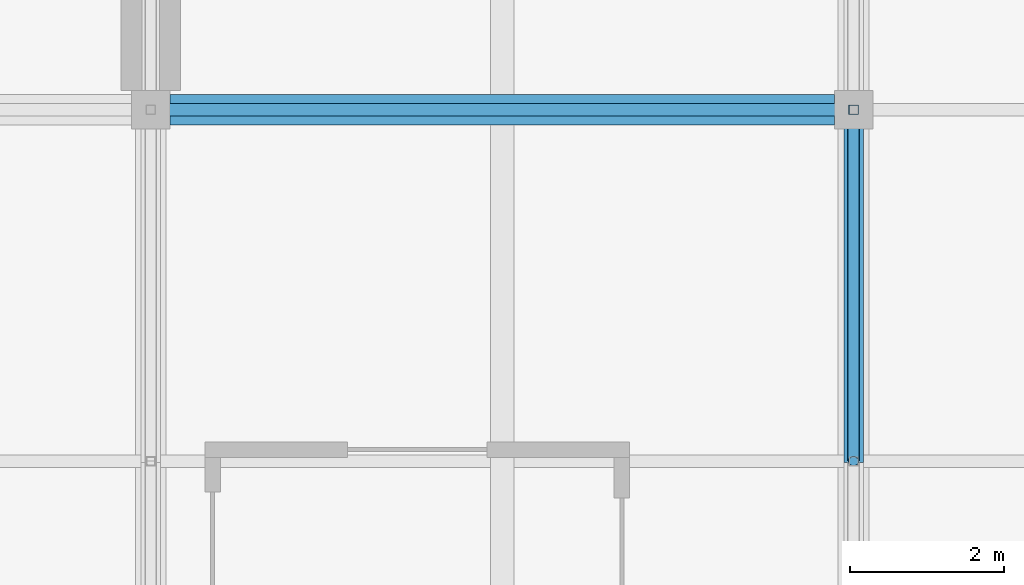
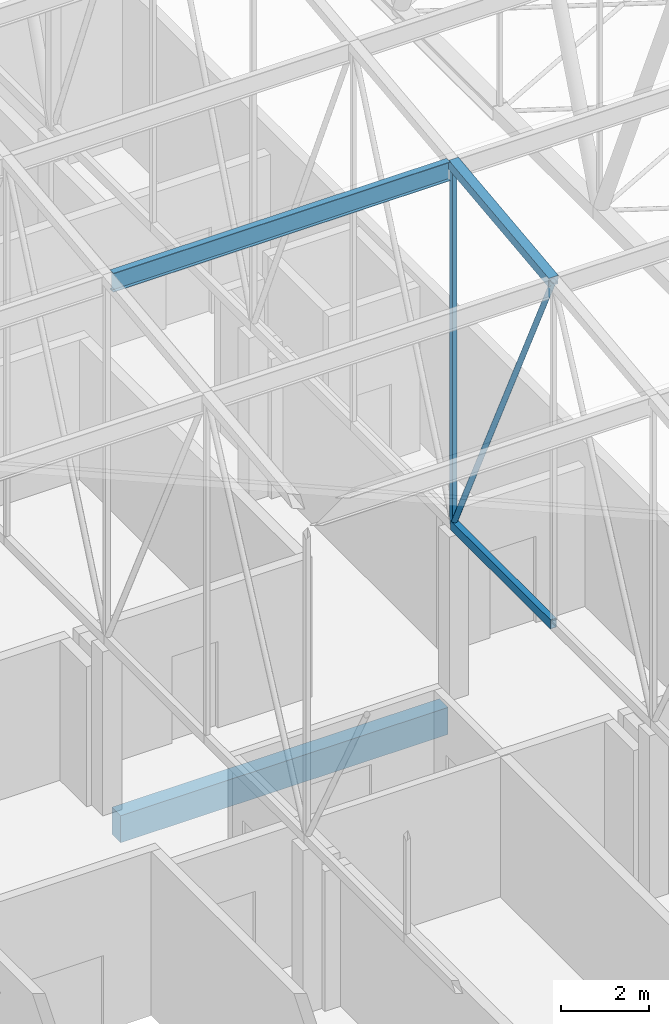
# One storey, part 42 of 500: 5 members, 1 beam.
"""IFC4 building model written with IfcOpenShell, lengths in metres."""

from ifc_helpers import new_model, si_unit, direction, frame, origin, origin_2d, place, context, subcontext, project, spatial, rectangle, hollow_rectangle, hollow_circle, i_section, extrude, material, material_profile, profile_set, type_object, element, save


model = new_model("IFC4")

# Units and contexts
model_context = context("Model", 3, precision=1e-05, world=origin(), true_north=direction((0.0, 1.0)))
body_context = subcontext(model_context, "Body", "Model", "MODEL_VIEW")
ifc_project = project(units=[si_unit("LENGTHUNIT", "METRE"), si_unit("AREAUNIT", "SQUARE_METRE"), si_unit("VOLUMEUNIT", "CUBIC_METRE"), si_unit("PLANEANGLEUNIT", "RADIAN"), si_unit("MASSUNIT", "GRAM", prefix="KILO")], contexts=[model_context])

# Site, building, storey
site_placement = place(None, origin())
site = spatial("IfcSite", under=ifc_project, at=site_placement, CompositionType="ELEMENT")
building_placement = place(site_placement, origin())
building = spatial("IfcBuilding", under=site, at=building_placement, Name="Shirokan Park Arena", CompositionType="ELEMENT")
storey_placement = place(building_placement, frame((0.0, 0.0, 29.1201171875)))
storey = spatial("IfcBuildingStorey", under=building, at=storey_placement, Name="L06", CompositionType="ELEMENT", Elevation=29.1201171875)

# Members
ifc_material_1 = material(Name="Steel ASTM A500 Grade C", Category="steel")
ifc_material_profile_1 = material_profile(ifc_material_1, hollow_rectangle(XDim=0.152099609375, YDim=0.25390625, WallThickness=0.009521484375, at=origin_2d()), Name="HSS254X152.4X9.5")
ifc_profile_set_1 = profile_set([ifc_material_profile_1], Name="Steel ASTM A500 Grade C")
member_type_1 = type_object("IfcMemberType", Name="Bottom chord HSS254X152.4X9.5", PredefinedType="CHORD", material=ifc_profile_set_1)
member_1_placement = place(storey_placement, frame((36.39990234375, 13.64990234375, 4.677001953125), z_axis=(0.0, 1.0, 0.0), x_axis=(-1.0, 0.0, 0.0)))
element("IfcMember", 1, at=member_1_placement, inside=storey, type_object=member_type_1, Name="Truss T05 bottom chord 6", PredefinedType="CHORD", context=body_context, shape_type="SweptSolid", body=[
    extrude(hollow_rectangle(XDim=0.152099609375, YDim=0.25390625, WallThickness=0.009521484375, at=origin_2d()), origin(), (0.0, 0.0, 1.0), 4.550048828125),
])
ifc_material_2 = material(Name="Steel ASTM A992", Category="steel")
ifc_material_profile_2 = material_profile(ifc_material_2, i_section(OverallWidth=0.166015625, OverallDepth=0.528076171875, WebThickness=0.009765625, FlangeThickness=0.013671875, at=origin_2d()), Name="W530X74")
ifc_profile_set_2 = profile_set([ifc_material_profile_2], Name="Steel ASTM A992")
member_type_2 = type_object("IfcMemberType", Name="Purlin W530X74", PredefinedType="PURLIN", material=ifc_profile_set_2)
member_2_placement = place(storey_placement, frame((27.427001953125, 18.199951171875, 14.56591796875), z_axis=(1.0, 0.0, 0.0), x_axis=(0.0, 1.0, 0.0)))
element("IfcMember", 2, at=member_2_placement, inside=storey, type_object=member_type_2, Name="Purlin 7 bay 4", PredefinedType="PURLIN", context=body_context, shape_type="SweptSolid", body=[
    extrude(i_section(OverallWidth=0.166015625, OverallDepth=0.528076171875, WebThickness=0.009765625, FlangeThickness=0.013671875, at=origin_2d()), origin(), (0.0, 0.0, 1.0), 8.845947265625),
])

# Beam
ifc_material_3 = material(Name="Concrete C35", Category="concrete")
ifc_material_profile_3 = material_profile(ifc_material_3, rectangle(XDim=0.39990234375, YDim=0.75, at=origin_2d()), Name="400x750")
ifc_profile_set_3 = profile_set([ifc_material_profile_3], Name="Concrete C35")
beam_type = type_object("IfcBeamType", Name="RC girder 400x750", PredefinedType="BEAM", material=ifc_profile_set_3)
beam_placement = place(storey_placement, frame((27.550048828125, 18.199951171875, -0.5751953125), z_axis=(1.0, 0.0, 0.0), x_axis=(0.0, 1.0, 0.0)))
element("IfcBeam", 3, at=beam_placement, inside=storey, type_object=beam_type, Name="Girder 4C-5C L06", PredefinedType="BEAM", context=body_context, shape_type="SweptSolid", body=[
    extrude(rectangle(XDim=0.39990234375, YDim=0.75, at=origin_2d()), origin(), (0.0, 0.0, 1.0), 8.599853515625),
])

# Members
ifc_material_profile_4 = material_profile(ifc_material_1, hollow_rectangle(XDim=0.25390625, YDim=0.25390625, WallThickness=0.009521484375, at=origin_2d()), Name="HSS254X254X9.5")
ifc_profile_set_4 = profile_set([ifc_material_profile_4], Name="Steel ASTM A500 Grade C")
member_type_3 = type_object("IfcMemberType", Name="Top chord HSS254X254X9.5", PredefinedType="CHORD", material=ifc_profile_set_4)
member_3_placement = place(storey_placement, frame((36.39990234375, 13.64990234375, 14.182861328125), z_axis=(0.0, 0.993532328996, 0.113549598152), x_axis=(-1.0, 0.0, 0.0)))
element("IfcMember", 4, at=member_3_placement, inside=storey, type_object=member_type_3, Name="Truss T05 top chord 6", PredefinedType="CHORD", context=body_context, shape_type="SweptSolid", body=[
    extrude(hollow_rectangle(XDim=0.25390625, YDim=0.25390625, WallThickness=0.009521484375, at=origin_2d()), origin(), (0.0, 0.0, 1.0), 4.57958984375),
])
ifc_material_profile_5 = material_profile(ifc_material_1, hollow_circle(Radius=0.070556640625, WallThickness=0.006591796875, at=origin_2d()), Name="HSS141.3X6.6")
ifc_profile_set_5 = profile_set([ifc_material_profile_5], Name="Steel ASTM A500 Grade C")
member_type_4 = type_object("IfcMemberType", Name="Truss diagonal HSS141.3X6.6", PredefinedType="BRACE", material=ifc_profile_set_5)
member_4_placement = place(storey_placement, frame((36.39990234375, 13.64990234375, 14.182861328125), z_axis=(0.0, 0.431746476626, -0.901994999942), x_axis=(-1.0, 0.0, 0.0)))
element("IfcMember", 5, at=member_4_placement, inside=storey, type_object=member_type_4, Name="Truss T05 diagonal 6", PredefinedType="BRACE", context=body_context, shape_type="SweptSolid", body=[
    extrude(hollow_circle(Radius=0.070556640625, WallThickness=0.006591796875, at=origin_2d()), origin(), (0.0, 0.0, 1.0), 10.538818359375),
])
ifc_material_profile_6 = material_profile(ifc_material_1, hollow_rectangle(XDim=0.126953125, YDim=0.126953125, WallThickness=0.008056640625, at=origin_2d()), Name="HSS127X127X7.9")
ifc_profile_set_6 = profile_set([ifc_material_profile_6], Name="Steel ASTM A500 Grade C")
member_type_5 = type_object("IfcMemberType", Name="Truss post HSS127X127X7.9", PredefinedType="POST", material=ifc_profile_set_6)
member_5_placement = place(storey_placement, frame((36.39990234375, 18.199951171875, 4.677001953125), z_axis=(0.0, 0.0, 1.0), x_axis=(1.0, 0.0, 0.0)))
element("IfcMember", 6, at=member_5_placement, inside=storey, type_object=member_type_5, Name="Truss T05 post 7", PredefinedType="POST", context=body_context, shape_type="SweptSolid", body=[
    extrude(hollow_rectangle(XDim=0.126953125, YDim=0.126953125, WallThickness=0.008056640625, at=origin_2d()), origin(), (0.0, 0.0, 1.0), 10.02587890625),
])

save(model, "model.ifc")
